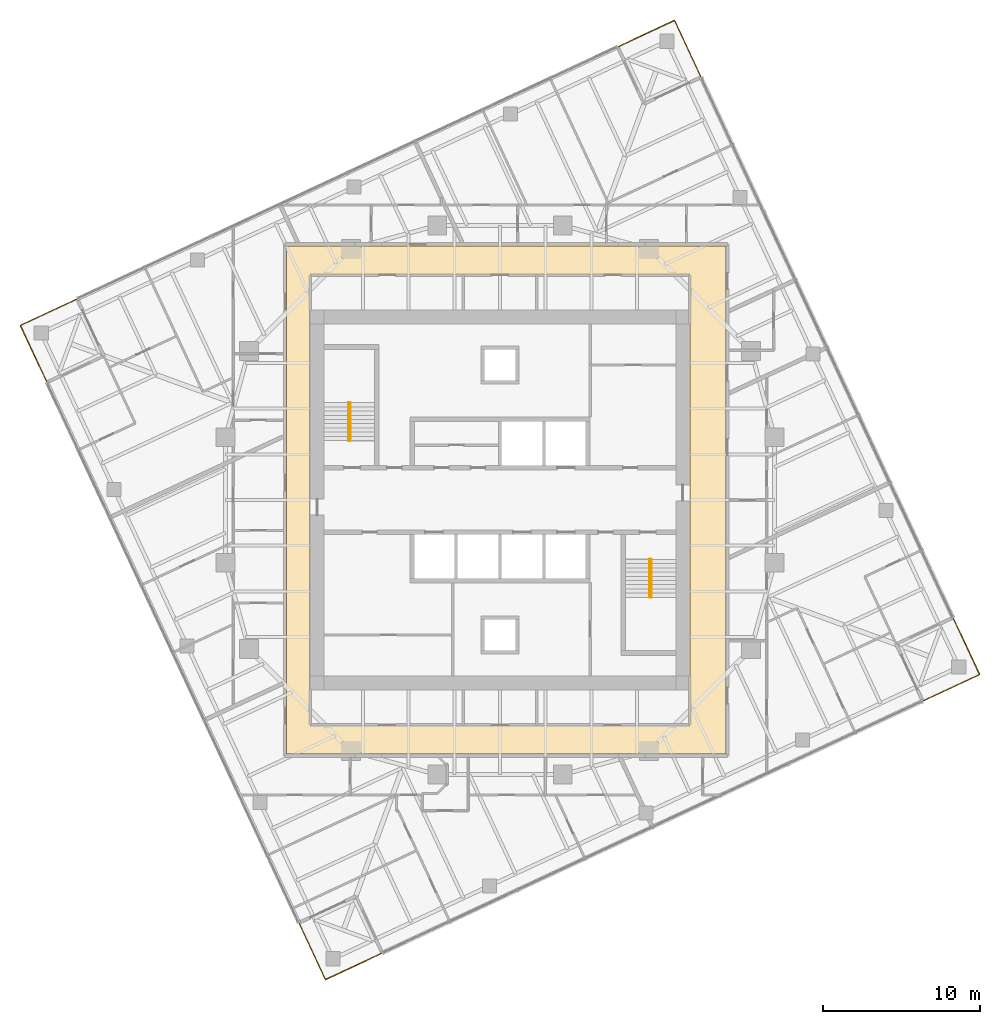
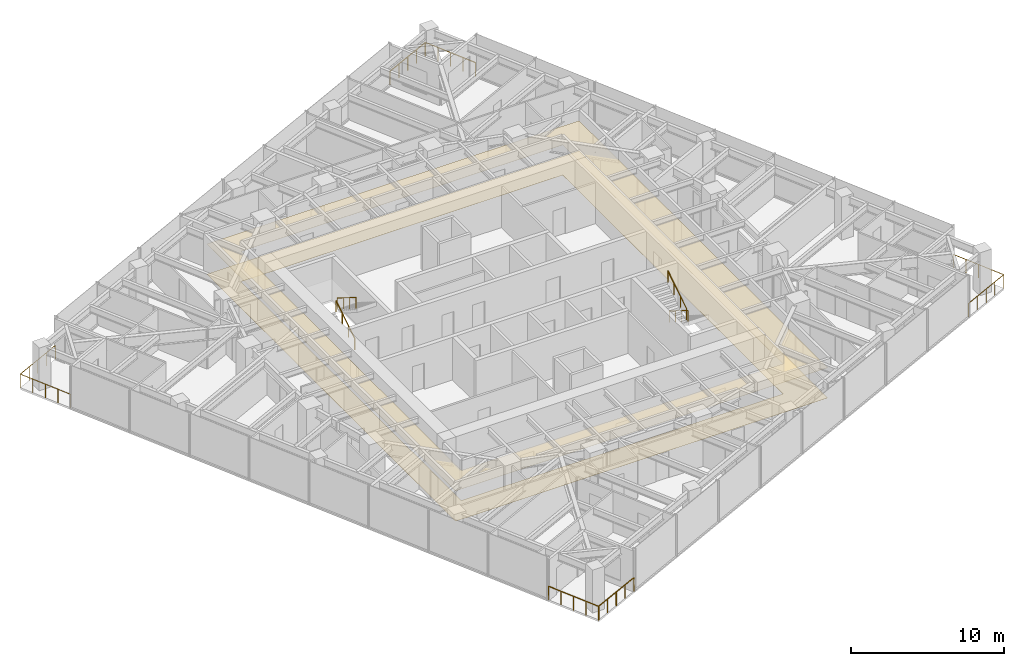
# One storey, part 13 of 13: 8 railings, 2 coverings, 2 elements without a shape of their own.
"""IFC4 building model written with IfcOpenShell, lengths in metres."""

from ifc_helpers import new_model, si_unit, direction, frame, origin, origin_2d, place, context, subcontext, project, spatial, polyline, circle, outline, extrude, material, layer, layer_set, type_object, element, aggregate, save


model = new_model("IFC4")

# Units and contexts
model_context = context("Model", 3, precision=1e-05, world=origin(), true_north=direction((0.0, 1.0)))
body_context = subcontext(model_context, "Body", "Model", "MODEL_VIEW")
ifc_project = project(units=[si_unit("LENGTHUNIT", "METRE"), si_unit("AREAUNIT", "SQUARE_METRE"), si_unit("VOLUMEUNIT", "CUBIC_METRE"), si_unit("PLANEANGLEUNIT", "RADIAN"), si_unit("MASSUNIT", "GRAM", prefix="KILO")], contexts=[model_context])

# Site, building, storey
site_placement = place(None, origin())
site = spatial("IfcSite", under=ifc_project, at=site_placement, CompositionType="ELEMENT")
building_placement = place(site_placement, origin())
building = spatial("IfcBuilding", under=site, at=building_placement, Name="Torsade Residences", CompositionType="ELEMENT")
storey_placement = place(building_placement, frame((0.0, 0.0, 182.800048828125)))
storey = spatial("IfcBuildingStorey", under=building, at=storey_placement, Name="L50", CompositionType="ELEMENT", Elevation=182.800048828125)

# Coverings
ifc_material_1 = material(Name="Nylon carpet tile on underlay", Category="textile")
ifc_layer_1 = layer(ifc_material_1, 0.010009765625)
ifc_layer_set_1 = layer_set([ifc_layer_1], Name="Nylon carpet tile on underlay")
covering_type_1 = type_object("IfcCoveringType", Name="CORRIDOR CARPET TILE 10", PredefinedType="FLOORING", material=ifc_layer_set_1)
covering_1_placement = place(storey_placement, origin())
element("IfcCovering", 1, at=covering_1_placement, inside=storey, type_object=covering_type_1, Name="Corridor carpet L50", PredefinedType="FLOORING", context=body_context, shape_type="SweptSolid", body=[
    extrude(outline(polyline([(26.39990234375, 46.199951171875), (26.39990234375, 13.800048828125), (54.39990234375, 13.800048828125), (54.39990234375, 46.199951171875), (26.39990234375, 46.199951171875)]), holes=[polyline([(52.10009765625, 44.35009765625), (27.89990234375, 44.35009765625), (27.89990234375, 15.64990234375), (52.10009765625, 15.64990234375), (52.10009765625, 44.35009765625)])]), origin(), (0.0, 0.0, 1.0), 0.010009765625),
])
ifc_material_2 = material(Name="Plasterboard on suspended steel grid", Category="steel")
ifc_layer_2 = layer(ifc_material_2, 0.012939453125)
ifc_layer_set_2 = layer_set([ifc_layer_2], Name="Plasterboard on suspended steel grid")
covering_type_2 = type_object("IfcCoveringType", Name="CORRIDOR SUSPENDED CEILING 13", PredefinedType="CEILING", material=ifc_layer_set_2)
covering_2_placement = place(storey_placement, frame((0.0, 0.0, 2.39990234375)))
element("IfcCovering", 2, at=covering_2_placement, inside=storey, type_object=covering_type_2, Name="Corridor ceiling L50", PredefinedType="CEILING", context=body_context, shape_type="SweptSolid", body=[
    extrude(outline(polyline([(26.39990234375, 46.199951171875), (26.39990234375, 13.800048828125), (54.39990234375, 13.800048828125), (54.39990234375, 46.199951171875), (26.39990234375, 46.199951171875)]), holes=[polyline([(52.10009765625, 44.35009765625), (27.89990234375, 44.35009765625), (27.89990234375, 15.64990234375), (52.10009765625, 15.64990234375), (52.10009765625, 44.35009765625)])]), origin(), (0.0, 0.0, 1.0), 0.012939453125),
])

# Stair, railings
ifc_material_3 = material(Name="Precast concrete 40 MPa", Category="concrete")
stair_type = type_object("IfcStairType", Name="HALF-TURN FIRE STAIR 1500x3400", PredefinedType="HALF_TURN_STAIR", material=ifc_material_3)
stair_1_placement = place(storey_placement, origin())
stair_1 = element("IfcStair", 3, at=stair_1_placement, inside=storey, type_object=stair_type, Name="Stair ST1 L50", PredefinedType="HALF_TURN_STAIR")
ifc_material_4 = material(Name="Steel handrail", Category="steel")
railing_type_1 = type_object("IfcRailingType", Name="STAIR HANDRAIL 900", PredefinedType="HANDRAIL", material=ifc_material_4)
railing_1_placement = place(storey_placement, frame((30.35009765625, 33.780029296875, 0.169921875)))
railing_1 = element("IfcRailing", 4, at=railing_1_placement, type_object=railing_type_1, Name="Handrail ST1 flight 1 L50", PredefinedType="HANDRAIL", context=body_context, shape_type="SweptSolid", body=[
    extrude(circle(Radius=0.02392578125, at=origin_2d()), frame((0.0, 0.0, 0.8759765625), z_axis=(0.0, 0.846221481393, 0.532831309544), x_axis=(-1.0, 0.0, 0.0)), (0.0, 0.0, 1.0), 2.87158203125),
    extrude(circle(Radius=0.02099609375, at=origin_2d()), origin(), (0.0, 0.0, 1.0), 0.851806640625),
    extrude(circle(Radius=0.02099609375, at=origin_2d()), frame((0.0, 0.81005859375, 0.510009765625)), (0.0, 0.0, 1.0), 0.851806640625),
    extrude(circle(Radius=0.02099609375, at=origin_2d()), frame((0.0, 1.619873046875, 1.02001953125)), (0.0, 0.0, 1.0), 0.851806640625),
    extrude(circle(Radius=0.02099609375, at=origin_2d()), frame((0.0, 2.429931640625, 1.530029296875)), (0.0, 0.0, 1.0), 0.851806640625),
])
railing_2_placement = place(storey_placement, frame((30.449951171875, 36.2099609375, 1.869873046875)))
railing_2 = element("IfcRailing", 5, at=railing_2_placement, type_object=railing_type_1, Name="Handrail ST1 flight 2 L50", PredefinedType="HANDRAIL", context=body_context, shape_type="SweptSolid", body=[
    extrude(circle(Radius=0.02392578125, at=origin_2d()), frame((0.0, 0.0, 0.8759765625), z_axis=(0.0, -0.846221481393, 0.532831309544), x_axis=(1.0, 0.0, 0.0)), (0.0, 0.0, 1.0), 2.87158203125),
    extrude(circle(Radius=0.02099609375, at=origin_2d()), origin(), (0.0, 0.0, 1.0), 0.851806640625),
    extrude(circle(Radius=0.02099609375, at=origin_2d()), frame((0.0, -0.81005859375, 0.510009765625)), (0.0, 0.0, 1.0), 0.851806640625),
    extrude(circle(Radius=0.02099609375, at=origin_2d()), frame((0.0, -1.619873046875, 1.02001953125)), (0.0, 0.0, 1.0), 0.851806640625),
    extrude(circle(Radius=0.02099609375, at=origin_2d()), frame((0.0, -2.429931640625, 1.530029296875)), (0.0, 0.0, 1.0), 0.851806640625),
])
aggregate(stair_1, [railing_1, railing_2])

stair_2_placement = place(storey_placement, origin())
stair_2 = element("IfcStair", 6, at=stair_2_placement, inside=storey, type_object=stair_type, Name="Stair ST2 L50", PredefinedType="HALF_TURN_STAIR")
railing_3_placement = place(storey_placement, frame((49.64990234375, 26.219970703125, 0.169921875)))
railing_3 = element("IfcRailing", 7, at=railing_3_placement, type_object=railing_type_1, Name="Handrail ST2 flight 1 L50", PredefinedType="HANDRAIL", context=body_context, shape_type="SweptSolid", body=[
    extrude(circle(Radius=0.02392578125, at=origin_2d()), frame((0.0, 0.0, 0.8759765625), z_axis=(0.0, -0.846221481393, 0.532831309544), x_axis=(1.0, 0.0, 0.0)), (0.0, 0.0, 1.0), 2.87158203125),
    extrude(circle(Radius=0.02099609375, at=origin_2d()), origin(), (0.0, 0.0, 1.0), 0.851806640625),
    extrude(circle(Radius=0.02099609375, at=origin_2d()), frame((0.0, -0.81005859375, 0.510009765625)), (0.0, 0.0, 1.0), 0.851806640625),
    extrude(circle(Radius=0.02099609375, at=origin_2d()), frame((0.0, -1.619873046875, 1.02001953125)), (0.0, 0.0, 1.0), 0.851806640625),
    extrude(circle(Radius=0.02099609375, at=origin_2d()), frame((0.0, -2.429931640625, 1.530029296875)), (0.0, 0.0, 1.0), 0.851806640625),
])
railing_4_placement = place(storey_placement, frame((49.550048828125, 23.7900390625, 1.869873046875)))
railing_4 = element("IfcRailing", 8, at=railing_4_placement, type_object=railing_type_1, Name="Handrail ST2 flight 2 L50", PredefinedType="HANDRAIL", context=body_context, shape_type="SweptSolid", body=[
    extrude(circle(Radius=0.02392578125, at=origin_2d()), frame((0.0, 0.0, 0.8759765625), z_axis=(0.0, 0.846221481393, 0.532831309544), x_axis=(-1.0, 0.0, 0.0)), (0.0, 0.0, 1.0), 2.87158203125),
    extrude(circle(Radius=0.02099609375, at=origin_2d()), origin(), (0.0, 0.0, 1.0), 0.851806640625),
    extrude(circle(Radius=0.02099609375, at=origin_2d()), frame((0.0, 0.81005859375, 0.510009765625)), (0.0, 0.0, 1.0), 0.851806640625),
    extrude(circle(Radius=0.02099609375, at=origin_2d()), frame((0.0, 1.619873046875, 1.02001953125)), (0.0, 0.0, 1.0), 0.851806640625),
    extrude(circle(Radius=0.02099609375, at=origin_2d()), frame((0.0, 2.429931640625, 1.530029296875)), (0.0, 0.0, 1.0), 0.851806640625),
])
aggregate(stair_2, [railing_3, railing_4])

# Railings
ifc_material_5 = material(Name="Laminated glass balustrade", Category="glass")
railing_type_2 = type_object("IfcRailingType", Name="TERRACE GLASS BALUSTRADE 1100", PredefinedType="BALUSTRADE", material=ifc_material_5)
railing_5_placement = place(storey_placement, frame((66.940185546875, 17.1845703125, 0.0)))
element("IfcRailing", 9, at=railing_5_placement, inside=storey, type_object=railing_type_2, Name="Terrace balustrade SE L50", PredefinedType="BALUSTRADE", context=body_context, shape_type="SweptSolid", body=[
    extrude(circle(Radius=0.02392578125, at=origin_2d()), frame((0.0, 0.0, 1.076171875), z_axis=(0.906278236866, 0.422681626502, 0.0), x_axis=(-0.422681626502, 0.906278236866, 0.0)), (0.0, 0.0, 1.0), 3.999755859375),
    extrude(circle(Radius=0.02392578125, at=origin_2d()), frame((3.625, 1.690673828125, 1.076171875), z_axis=(-0.422608113797, 0.906312519031, 0.0), x_axis=(-0.906312519031, -0.422608113797, 0.0)), (0.0, 0.0, 1.0), 4.0),
    extrude(circle(Radius=0.02099609375, at=origin_2d()), origin(), (0.0, 0.0, 1.0), 1.052001953125),
    extrude(circle(Radius=0.02099609375, at=origin_2d()), frame((0.90625, 0.422607421875, 0.0)), (0.0, 0.0, 1.0), 1.052001953125),
    extrude(circle(Radius=0.02099609375, at=origin_2d()), frame((1.8125, 0.84521484375, 0.0)), (0.0, 0.0, 1.0), 1.052001953125),
    extrude(circle(Radius=0.02099609375, at=origin_2d()), frame((2.71875, 1.26806640625, 0.0)), (0.0, 0.0, 1.0), 1.052001953125),
    extrude(circle(Radius=0.02099609375, at=origin_2d()), frame((3.625, 1.690673828125, 0.0)), (0.0, 0.0, 1.0), 1.052001953125),
    extrude(circle(Radius=0.02099609375, at=origin_2d()), frame((3.202392578125, 2.596923828125, 0.0)), (0.0, 0.0, 1.0), 1.052001953125),
    extrude(circle(Radius=0.02099609375, at=origin_2d()), frame((2.77978515625, 3.50341796875, 0.0)), (0.0, 0.0, 1.0), 1.052001953125),
    extrude(circle(Radius=0.02099609375, at=origin_2d()), frame((2.357177734375, 4.40966796875, 0.0)), (0.0, 0.0, 1.0), 1.052001953125),
    extrude(circle(Radius=0.02099609375, at=origin_2d()), frame((1.9345703125, 5.31591796875, 0.0)), (0.0, 0.0, 1.0), 1.052001953125),
])
railing_6_placement = place(storey_placement, frame((52.8154296875, 56.940185546875, 0.0)))
element("IfcRailing", 10, at=railing_6_placement, inside=storey, type_object=railing_type_2, Name="Terrace balustrade NE L50", PredefinedType="BALUSTRADE", context=body_context, shape_type="SweptSolid", body=[
    extrude(circle(Radius=0.02392578125, at=origin_2d()), frame((0.0, 0.0, 1.076171875), z_axis=(-0.422681626502, 0.906278236866, 0.0), x_axis=(-0.906278236866, -0.422681626502, 0.0)), (0.0, 0.0, 1.0), 3.999755859375),
    extrude(circle(Radius=0.02392578125, at=origin_2d()), frame((-1.690673828125, 3.625, 1.076171875), z_axis=(-0.906312519031, -0.422608113797, 0.0), x_axis=(0.422608113797, -0.906312519031, 0.0)), (0.0, 0.0, 1.0), 4.0),
    extrude(circle(Radius=0.02099609375, at=origin_2d()), origin(), (0.0, 0.0, 1.0), 1.052001953125),
    extrude(circle(Radius=0.02099609375, at=origin_2d()), frame((-0.422607421875, 0.90625, 0.0)), (0.0, 0.0, 1.0), 1.052001953125),
    extrude(circle(Radius=0.02099609375, at=origin_2d()), frame((-0.84521484375, 1.8125, 0.0)), (0.0, 0.0, 1.0), 1.052001953125),
    extrude(circle(Radius=0.02099609375, at=origin_2d()), frame((-1.26806640625, 2.71875, 0.0)), (0.0, 0.0, 1.0), 1.052001953125),
    extrude(circle(Radius=0.02099609375, at=origin_2d()), frame((-1.690673828125, 3.625, 0.0)), (0.0, 0.0, 1.0), 1.052001953125),
    extrude(circle(Radius=0.02099609375, at=origin_2d()), frame((-2.596923828125, 3.202392578125, 0.0)), (0.0, 0.0, 1.0), 1.052001953125),
    extrude(circle(Radius=0.02099609375, at=origin_2d()), frame((-3.50341796875, 2.77978515625, 0.0)), (0.0, 0.0, 1.0), 1.052001953125),
    extrude(circle(Radius=0.02099609375, at=origin_2d()), frame((-4.40966796875, 2.357177734375, 0.0)), (0.0, 0.0, 1.0), 1.052001953125),
    extrude(circle(Radius=0.02099609375, at=origin_2d()), frame((-5.31591796875, 1.9345703125, 0.0)), (0.0, 0.0, 1.0), 1.052001953125),
])
railing_7_placement = place(storey_placement, frame((13.059814453125, 42.8154296875, 0.0)))
element("IfcRailing", 11, at=railing_7_placement, inside=storey, type_object=railing_type_2, Name="Terrace balustrade NW L50", PredefinedType="BALUSTRADE", context=body_context, shape_type="SweptSolid", body=[
    extrude(circle(Radius=0.02392578125, at=origin_2d()), frame((0.0, 0.0, 1.076171875), z_axis=(-0.906278236866, -0.422681626502, 0.0), x_axis=(0.422681626502, -0.906278236866, 0.0)), (0.0, 0.0, 1.0), 3.999755859375),
    extrude(circle(Radius=0.02392578125, at=origin_2d()), frame((-3.625, -1.690673828125, 1.076171875), z_axis=(0.422608113797, -0.906312519031, 0.0), x_axis=(0.906312519031, 0.422608113797, 0.0)), (0.0, 0.0, 1.0), 4.0),
    extrude(circle(Radius=0.02099609375, at=origin_2d()), origin(), (0.0, 0.0, 1.0), 1.052001953125),
    extrude(circle(Radius=0.02099609375, at=origin_2d()), frame((-0.90625, -0.422607421875, 0.0)), (0.0, 0.0, 1.0), 1.052001953125),
    extrude(circle(Radius=0.02099609375, at=origin_2d()), frame((-1.8125, -0.84521484375, 0.0)), (0.0, 0.0, 1.0), 1.052001953125),
    extrude(circle(Radius=0.02099609375, at=origin_2d()), frame((-2.71875, -1.26806640625, 0.0)), (0.0, 0.0, 1.0), 1.052001953125),
    extrude(circle(Radius=0.02099609375, at=origin_2d()), frame((-3.625, -1.690673828125, 0.0)), (0.0, 0.0, 1.0), 1.052001953125),
    extrude(circle(Radius=0.02099609375, at=origin_2d()), frame((-3.202392578125, -2.596923828125, 0.0)), (0.0, 0.0, 1.0), 1.052001953125),
    extrude(circle(Radius=0.02099609375, at=origin_2d()), frame((-2.77978515625, -3.50341796875, 0.0)), (0.0, 0.0, 1.0), 1.052001953125),
    extrude(circle(Radius=0.02099609375, at=origin_2d()), frame((-2.357177734375, -4.40966796875, 0.0)), (0.0, 0.0, 1.0), 1.052001953125),
    extrude(circle(Radius=0.02099609375, at=origin_2d()), frame((-1.9345703125, -5.31591796875, 0.0)), (0.0, 0.0, 1.0), 1.052001953125),
])
railing_8_placement = place(storey_placement, frame((27.1845703125, 3.059814453125, 0.0)))
element("IfcRailing", 12, at=railing_8_placement, inside=storey, type_object=railing_type_2, Name="Terrace balustrade SW L50", PredefinedType="BALUSTRADE", context=body_context, shape_type="SweptSolid", body=[
    extrude(circle(Radius=0.02392578125, at=origin_2d()), frame((0.0, 0.0, 1.076171875), z_axis=(0.422681626502, -0.906278236866, 0.0), x_axis=(0.906278236866, 0.422681626502, 0.0)), (0.0, 0.0, 1.0), 3.999755859375),
    extrude(circle(Radius=0.02392578125, at=origin_2d()), frame((1.690673828125, -3.625, 1.076171875), z_axis=(0.906312519031, 0.422608113797, 0.0), x_axis=(-0.422608113797, 0.906312519031, 0.0)), (0.0, 0.0, 1.0), 4.0),
    extrude(circle(Radius=0.02099609375, at=origin_2d()), origin(), (0.0, 0.0, 1.0), 1.052001953125),
    extrude(circle(Radius=0.02099609375, at=origin_2d()), frame((0.422607421875, -0.90625, 0.0)), (0.0, 0.0, 1.0), 1.052001953125),
    extrude(circle(Radius=0.02099609375, at=origin_2d()), frame((0.84521484375, -1.8125, 0.0)), (0.0, 0.0, 1.0), 1.052001953125),
    extrude(circle(Radius=0.02099609375, at=origin_2d()), frame((1.26806640625, -2.71875, 0.0)), (0.0, 0.0, 1.0), 1.052001953125),
    extrude(circle(Radius=0.02099609375, at=origin_2d()), frame((1.690673828125, -3.625, 0.0)), (0.0, 0.0, 1.0), 1.052001953125),
    extrude(circle(Radius=0.02099609375, at=origin_2d()), frame((2.596923828125, -3.202392578125, 0.0)), (0.0, 0.0, 1.0), 1.052001953125),
    extrude(circle(Radius=0.02099609375, at=origin_2d()), frame((3.50341796875, -2.77978515625, 0.0)), (0.0, 0.0, 1.0), 1.052001953125),
    extrude(circle(Radius=0.02099609375, at=origin_2d()), frame((4.40966796875, -2.357177734375, 0.0)), (0.0, 0.0, 1.0), 1.052001953125),
    extrude(circle(Radius=0.02099609375, at=origin_2d()), frame((5.31591796875, -1.9345703125, 0.0)), (0.0, 0.0, 1.0), 1.052001953125),
])

save(model, "model.ifc")
